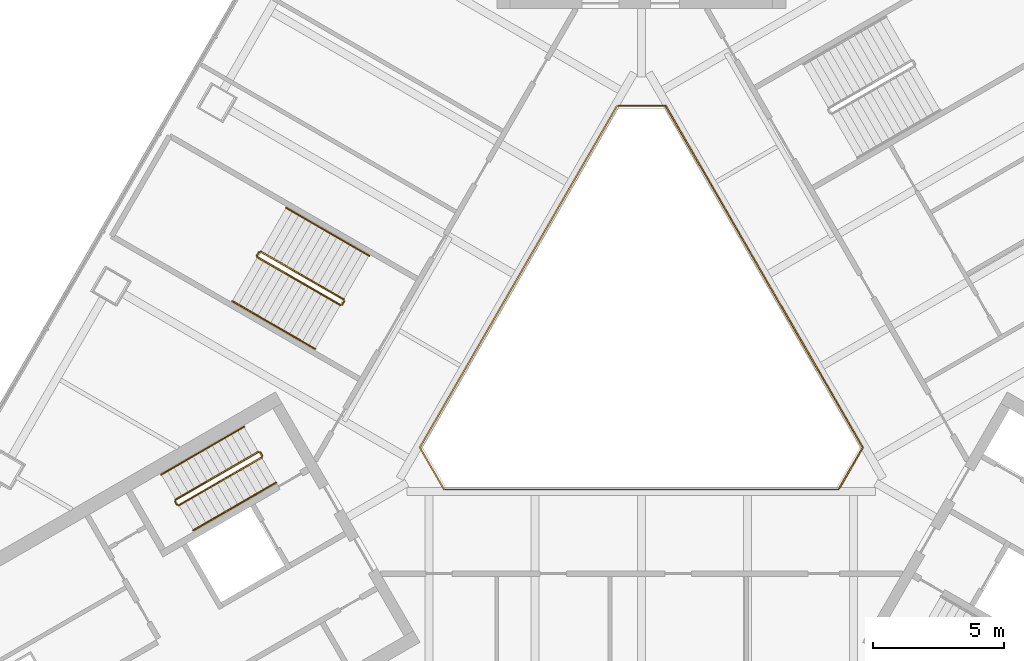
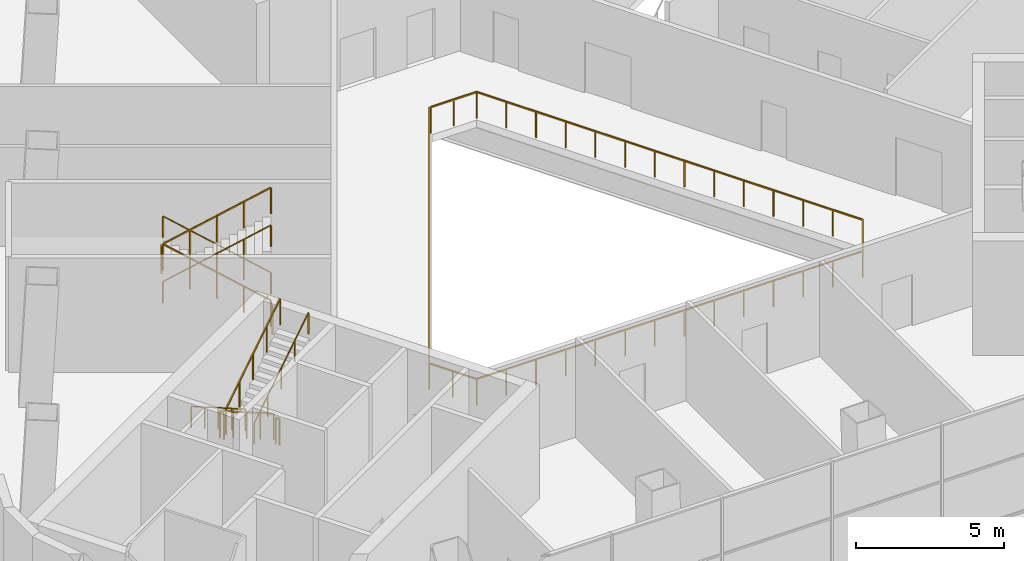
# One storey, part 12 of 13: 14 railings.
"""IFC4 building model written with IfcOpenShell, lengths in metres."""

import ifcopenshell
import ifcopenshell.guid

model = None  # the IFC model being written
_history = None  # IfcOwnerHistory: only IFC2X3 demands one
_inside = {}  # id of a spatial element -> (the spatial element, [elements in it])
_under = {}  # id of a project, library or spatial element -> (it, [spatial elements below it])
_declared = {}  # id of a project -> (the project, [libraries it declares])
_typed = {}  # id of a type object -> (the type object, [elements of that type])
_made_of = {}  # id of a material, layer set ... -> (it, [elements and type objects made of it])


def new_model(schema):
    """Start an empty IFC model of exactly this schema.

    Asked for "IFC4X3", IfcOpenShell would pick the latest addendum, in which some entities
    have other attributes; the version numbers below select the first issue.
    IFC2X3 requires an IfcOwnerHistory on every rooted entity: one is made here for all.
    """
    global model, _history
    if schema == "IFC4X3":
        model = ifcopenshell.file(schema_version=(4, 3, 0, 0))
    else:
        model = ifcopenshell.file(schema=schema)
    _inside.clear()
    _under.clear()
    _declared.clear()
    _typed.clear()
    _made_of.clear()
    _history = None
    if model.schema == "IFC2X3":
        org = make("IfcOrganization", Name="unknown")
        user = make(
            "IfcPersonAndOrganization",
            ThePerson=make("IfcPerson", FamilyName="unknown"),
            TheOrganization=org,
        )
        app = make(
            "IfcApplication",
            ApplicationDeveloper=org,
            Version="unknown",
            ApplicationFullName="unknown",
            ApplicationIdentifier="unknown",
        )
        _history = make(
            "IfcOwnerHistory",
            OwningUser=user,
            OwningApplication=app,
            ChangeAction="ADDED",
            CreationDate=0,
        )
    return model


def make(cls, **values):
    """One entity of the class cls with the attributes given. An attribute that is None is left unset."""
    return model.create_entity(
        cls, **{name: value for name, value in values.items() if value is not None}
    )


def rooted(cls, **values):
    """An entity with a GlobalId (a new one), such as an element, a storey or a relation."""
    return make(cls, GlobalId=ifcopenshell.guid.new(), OwnerHistory=_history, **values)


def si_unit(unit_type, name, prefix=None):
    """IfcSIUnit, for example si_unit("LENGTHUNIT", "METRE", prefix="MILLI")."""
    return make("IfcSIUnit", UnitType=unit_type, Prefix=prefix, Name=name)


def assignment(units):
    """IfcUnitAssignment: the units of a project."""
    return None if units is None else make("IfcUnitAssignment", Units=units)


def point(xyz):
    """IfcCartesianPoint."""
    return None if xyz is None else make("IfcCartesianPoint", Coordinates=xyz)


def direction(xyz):
    """IfcDirection."""
    return None if xyz is None else make("IfcDirection", DirectionRatios=xyz)


def frame(location, z_axis=None, x_axis=None):
    """IfcAxis2Placement3D, a coordinate frame: its origin and axes. An axis left out is left unset."""
    return make(
        "IfcAxis2Placement3D",
        Location=point(location),
        Axis=direction(z_axis),
        RefDirection=direction(x_axis),
    )


def frame_2d(location, x_axis=None):
    """IfcAxis2Placement2D, a coordinate frame in the plane: its origin and x axis."""
    return make(
        "IfcAxis2Placement2D", Location=point(location), RefDirection=direction(x_axis)
    )


def origin():
    """The frame at (0, 0, 0) with its axes left unset."""
    return frame((0.0, 0.0, 0.0))


def origin_2d():
    """The frame at (0, 0) in the plane with its x axis left unset."""
    return frame_2d((0.0, 0.0))


def place(relative_to, where):
    """IfcLocalPlacement: puts the frame where relative to a parent placement (None: the world)."""
    return make(
        "IfcLocalPlacement", PlacementRelTo=relative_to, RelativePlacement=where
    )


def context(
    kind, dimensions, precision=None, world=None, true_north=None, identifier=None
):
    """IfcGeometricRepresentationContext, for example the 3D "Model" context."""
    return make(
        "IfcGeometricRepresentationContext",
        ContextIdentifier=identifier,
        ContextType=kind,
        CoordinateSpaceDimension=dimensions,
        Precision=precision,
        WorldCoordinateSystem=world,
        TrueNorth=true_north,
    )


def subcontext(parent, identifier, kind, view, scale=None):
    """IfcGeometricRepresentationSubContext, for example "Body" below "Model"."""
    return make(
        "IfcGeometricRepresentationSubContext",
        ContextIdentifier=identifier,
        ContextType=kind,
        ParentContext=parent,
        TargetScale=scale,
        TargetView=view,
    )


def project(units=None, contexts=None):
    """IfcProject with its units and contexts."""
    return rooted(
        "IfcProject",
        Name="project",
        RepresentationContexts=contexts,
        UnitsInContext=assignment(units),
    )


def spatial(cls, under=None, at=None, **own):
    """A site, building, storey or space (cls), placed at a placement, below another one or the project."""
    s = rooted(cls, ObjectPlacement=at, **own)
    if under is not None:
        _under.setdefault(under.id(), (under, []))[1].append(s)
    return s


def profile(cls, at=None, kind="AREA", **sizes):
    """A parametric profile (cls). Its sizes go by their IFC names, for example OverallWidth=200.0."""
    return make(cls, ProfileType=kind, Position=at, **sizes)


def rectangle(**sizes):
    """IfcRectangleProfileDef."""
    return profile("IfcRectangleProfileDef", **sizes)


def circle(**sizes):
    """IfcCircleProfileDef."""
    return profile("IfcCircleProfileDef", **sizes)


def extrude(swept, where, along, depth):
    """IfcExtrudedAreaSolid: the profile swept, set in the frame where, extruded along a direction by depth."""
    return make(
        "IfcExtrudedAreaSolid",
        SweptArea=swept,
        Position=where,
        ExtrudedDirection=direction(along),
        Depth=depth,
    )


def shape(context_of_items, identifier, shape_type, items):
    """IfcShapeRepresentation: the items that make up one representation, for example the "Body"."""
    return make(
        "IfcShapeRepresentation",
        ContextOfItems=context_of_items,
        RepresentationIdentifier=identifier,
        RepresentationType=shape_type,
        Items=items,
    )


def material(Name=None, Category=None):
    """IfcMaterial."""
    return make("IfcMaterial", Name=Name, Category=Category)


def made_of(thing, what):
    """Note that an element or type object is made of a material, layer set ...; save() writes the relation."""
    if what is not None:
        _made_of.setdefault(what.id(), (what, []))[1].append(thing)
    return thing


def type_object(cls, material=None, **own):
    """A type object (cls), such as IfcWallType, which elements share."""
    return made_of(rooted(cls, **own), material)


def element(
    cls,
    number,
    at=None,
    inside=None,
    cuts=None,
    type_object=None,
    material=None,
    context=None,
    identifier="Body",
    shape_type=None,
    held_by="IfcProductDefinitionShape",
    body=None,
    shapes=None,
    **own,
):
    """One element of the class cls, such as IfcWall. Its Tag is "e" and its number.

    at: its placement. inside: the storey or other place that contains it. cuts: it is an
    opening in that element (IfcRelVoidsElement). A single representation is given by context,
    identifier, shape_type and body (its items); several are given by shapes. held_by: the class
    of the entity that holds the representations. save() writes the other relations.
    """
    e = rooted(cls, Tag="e%d" % number, ObjectPlacement=at, **own)
    if body is not None:
        shapes = [shape(context, identifier, shape_type, body)]
    if shapes is not None:
        e.Representation = make(held_by, Representations=shapes)
    if inside is not None:
        _inside.setdefault(inside.id(), (inside, []))[1].append(e)
    if cuts is not None:
        rooted(
            "IfcRelVoidsElement", RelatingBuildingElement=cuts, RelatedOpeningElement=e
        )
    if type_object is not None:
        _typed.setdefault(type_object.id(), (type_object, []))[1].append(e)
    return made_of(e, material)


def aggregate(whole, parts):
    """IfcRelAggregates: a whole, such as a stair, and the parts it consists of."""
    return rooted("IfcRelAggregates", RelatingObject=whole, RelatedObjects=parts)


def save(model, path):
    """Write the relations noted so far, then the file.

    IfcRelAggregates (storeys below a building ...), IfcRelContainedInSpatialStructure (elements
    in a storey), IfcRelDefinesByType, IfcRelAssociatesMaterial and IfcRelDeclares: one each for
    every whole, place, type object, material and project.
    """
    for whole, parts in _under.values():
        aggregate(whole, parts)
    for where, things in _inside.values():
        rooted(
            "IfcRelContainedInSpatialStructure",
            RelatedElements=things,
            RelatingStructure=where,
        )
    for kind, things in _typed.values():
        rooted("IfcRelDefinesByType", RelatedObjects=things, RelatingType=kind)
    for what, things in _made_of.values():
        rooted("IfcRelAssociatesMaterial", RelatedObjects=things, RelatingMaterial=what)
    for by, libraries in _declared.values():
        rooted("IfcRelDeclares", RelatingContext=by, RelatedDefinitions=libraries)
    model.write(path)


model = new_model("IFC4")

# Units and contexts
model_context = context("Model", 3, precision=1e-05, world=origin(), true_north=direction((0.0, 1.0)))
body_context = subcontext(model_context, "Body", "Model", "MODEL_VIEW")
ifc_project = project(units=[si_unit("LENGTHUNIT", "METRE"), si_unit("AREAUNIT", "SQUARE_METRE"), si_unit("VOLUMEUNIT", "CUBIC_METRE"), si_unit("PLANEANGLEUNIT", "RADIAN"), si_unit("MASSUNIT", "GRAM", prefix="KILO")], contexts=[model_context])

# Site, building, storey
site_placement = place(None, origin())
site = spatial("IfcSite", under=ifc_project, at=site_placement, CompositionType="ELEMENT")
building_placement = place(site_placement, origin())
building = spatial("IfcBuilding", under=site, at=building_placement, Name="Apuvela Tower Hotel", CompositionType="ELEMENT")
storey_placement = place(building_placement, frame((0.0, 0.0, 23.5)))
storey = spatial("IfcBuildingStorey", under=building, at=storey_placement, Name="L03", CompositionType="ELEMENT", Elevation=23.5)

# Railings
ifc_material_1 = material(Name="Steel S275 balustrade", Category="steel")
railing_type_1 = type_object("IfcRailingType", Name="COR-GUARD-1100", PredefinedType="GUARDRAIL", material=ifc_material_1)
railing_1_placement = place(storey_placement, frame((-14.569091796875, -3.9658203125, 0.178466796875)))
element("IfcRailing", 1, at=railing_1_placement, inside=storey, type_object=railing_type_1, Name="L03 ST2 stair guard 1", PredefinedType="GUARDRAIL", context=body_context, shape_type="SweptSolid", body=[
    extrude(rectangle(XDim=0.048095703125, YDim=0.048095703125, at=origin_2d()), frame((0.0, 0.0, 1.076171875), z_axis=(-0.730132158462, -0.421588973847, 0.537745077439), x_axis=(0.500041787341, -0.866001276507, 0.0)), (0.0, 0.0, 1.0), 4.317138671875),
    extrude(rectangle(XDim=0.0419921875, YDim=0.0419921875, at=origin_2d()), origin(), (0.0, 0.0, 1.0), 1.052001953125),
    extrude(rectangle(XDim=0.0419921875, YDim=0.0419921875, at=origin_2d()), frame((-0.7880859375, -0.455078125, 0.580322265625)), (0.0, 0.0, 1.0), 1.052001953125),
    extrude(rectangle(XDim=0.0419921875, YDim=0.0419921875, at=origin_2d()), frame((-1.576171875, -0.91015625, 1.16064453125)), (0.0, 0.0, 1.0), 1.052001953125),
    extrude(rectangle(XDim=0.0419921875, YDim=0.0419921875, at=origin_2d()), frame((-2.364013671875, -1.364990234375, 1.7412109375)), (0.0, 0.0, 1.0), 1.052001953125),
    extrude(rectangle(XDim=0.0419921875, YDim=0.0419921875, at=origin_2d()), frame((-3.152099609375, -1.820068359375, 2.321533203125)), (0.0, 0.0, 1.0), 1.052001953125),
])
railing_2_placement = place(storey_placement, frame((-17.739501953125, -5.85400390625, 2.5)))
element("IfcRailing", 2, at=railing_2_placement, inside=storey, type_object=railing_type_1, Name="L03 ST2 stair guard 2", PredefinedType="GUARDRAIL", context=body_context, shape_type="SweptSolid", body=[
    extrude(rectangle(XDim=0.048095703125, YDim=0.048095703125, at=origin_2d()), frame((0.0, 0.0, 1.076171875), z_axis=(0.499816412211, -0.866131372301, 0.0), x_axis=(0.866131372301, 0.499816412211, 0.0)), (0.0, 0.0, 1.0), 0.14990234375),
    extrude(rectangle(XDim=0.0419921875, YDim=0.0419921875, at=origin_2d()), origin(), (0.0, 0.0, 1.0), 1.052001953125),
    extrude(rectangle(XDim=0.0419921875, YDim=0.0419921875, at=origin_2d()), frame((0.074951171875, -0.1298828125, 0.0)), (0.0, 0.0, 1.0), 1.052001953125),
])
railing_3_placement = place(storey_placement, frame((-17.59619140625, -6.002197265625, 2.678466796875)))
element("IfcRailing", 3, at=railing_3_placement, inside=storey, type_object=railing_type_1, Name="L03 ST2 stair guard 3", PredefinedType="GUARDRAIL", context=body_context, shape_type="SweptSolid", body=[
    extrude(rectangle(XDim=0.048095703125, YDim=0.048095703125, at=origin_2d()), frame((0.0, 0.0, 1.076171875), z_axis=(0.730149565253, 0.421542472264, 0.537757897606), x_axis=(-0.499991481599, 0.86603032183, 0.0)), (0.0, 0.0, 1.0), 4.317138671875),
    extrude(rectangle(XDim=0.0419921875, YDim=0.0419921875, at=origin_2d()), origin(), (0.0, 0.0, 1.0), 1.052001953125),
    extrude(rectangle(XDim=0.0419921875, YDim=0.0419921875, at=origin_2d()), frame((0.7880859375, 0.455078125, 0.580322265625)), (0.0, 0.0, 1.0), 1.052001953125),
    extrude(rectangle(XDim=0.0419921875, YDim=0.0419921875, at=origin_2d()), frame((1.576171875, 0.909912109375, 1.16064453125)), (0.0, 0.0, 1.0), 1.052001953125),
    extrude(rectangle(XDim=0.0419921875, YDim=0.0419921875, at=origin_2d()), frame((2.364013671875, 1.36474609375, 1.7412109375)), (0.0, 0.0, 1.0), 1.052001953125),
    extrude(rectangle(XDim=0.0419921875, YDim=0.0419921875, at=origin_2d()), frame((3.152099609375, 1.81982421875, 2.321533203125)), (0.0, 0.0, 1.0), 1.052001953125),
])
railing_4_placement = place(storey_placement, frame((-14.500732421875, -3.984130859375, 0.0)))
element("IfcRailing", 4, at=railing_4_placement, inside=storey, type_object=railing_type_1, Name="L03 ST2 stair guard 4", PredefinedType="GUARDRAIL", context=body_context, shape_type="SweptSolid", body=[
    extrude(rectangle(XDim=0.048095703125, YDim=0.048095703125, at=origin_2d()), frame((0.0, 0.0, 1.076171875), z_axis=(0.499816412211, -0.866131372301, 0.0), x_axis=(0.866131372301, 0.499816412211, 0.0)), (0.0, 0.0, 1.0), 0.14990234375),
    extrude(rectangle(XDim=0.0419921875, YDim=0.0419921875, at=origin_2d()), origin(), (0.0, 0.0, 1.0), 1.052001953125),
    extrude(rectangle(XDim=0.0419921875, YDim=0.0419921875, at=origin_2d()), frame((0.074951171875, -0.1298828125, 0.0)), (0.0, 0.0, 1.0), 1.052001953125),
])
ifc_material_2 = material(Name="Stainless steel 316 handrail", Category="steel")
railing_type_2 = type_object("IfcRailingType", Name="COR-HANDRAIL-900", PredefinedType="HANDRAIL", material=ifc_material_2)
railing_5_placement = place(storey_placement, frame((-15.118896484375, -3.01318359375, 0.178466796875)))
element("IfcRailing", 5, at=railing_5_placement, inside=storey, type_object=railing_type_2, Name="L03 ST2 stair handrail 1", PredefinedType="HANDRAIL", context=body_context, shape_type="SweptSolid", body=[
    extrude(circle(Radius=0.02392578125, at=origin_2d()), frame((0.0, 0.0, 0.8759765625), z_axis=(-0.730158560966, -0.421571566915, 0.537722874553), x_axis=(0.500012742938, -0.866018046521, 0.0)), (0.0, 0.0, 1.0), 4.3173828125),
    extrude(rectangle(XDim=0.0419921875, YDim=0.0419921875, at=origin_2d()), origin(), (0.0, 0.0, 1.0), 0.851806640625),
    extrude(rectangle(XDim=0.0419921875, YDim=0.0419921875, at=origin_2d()), frame((-0.7880859375, -0.455078125, 0.580322265625)), (0.0, 0.0, 1.0), 0.851806640625),
    extrude(rectangle(XDim=0.0419921875, YDim=0.0419921875, at=origin_2d()), frame((-1.576171875, -0.91015625, 1.16064453125)), (0.0, 0.0, 1.0), 0.851806640625),
    extrude(rectangle(XDim=0.0419921875, YDim=0.0419921875, at=origin_2d()), frame((-2.3642578125, -1.364990234375, 1.7412109375)), (0.0, 0.0, 1.0), 0.851806640625),
    extrude(rectangle(XDim=0.0419921875, YDim=0.0419921875, at=origin_2d()), frame((-3.15234375, -1.820068359375, 2.321533203125)), (0.0, 0.0, 1.0), 0.851806640625),
])
railing_6_placement = place(storey_placement, frame((-17.04638671875, -6.954833984375, 2.678466796875)))
element("IfcRailing", 6, at=railing_6_placement, inside=storey, type_object=railing_type_2, Name="L03 ST2 stair handrail 2", PredefinedType="HANDRAIL", context=body_context, shape_type="SweptSolid", body=[
    extrude(circle(Radius=0.02392578125, at=origin_2d()), frame((0.0, 0.0, 0.8759765625), z_axis=(0.730175966949, 0.421525066422, 0.537735693132), x_axis=(-0.499962438169, 0.866047089031, 0.0)), (0.0, 0.0, 1.0), 4.317138671875),
    extrude(rectangle(XDim=0.0419921875, YDim=0.0419921875, at=origin_2d()), origin(), (0.0, 0.0, 1.0), 0.851806640625),
    extrude(rectangle(XDim=0.0419921875, YDim=0.0419921875, at=origin_2d()), frame((0.7880859375, 0.455078125, 0.580322265625)), (0.0, 0.0, 1.0), 0.851806640625),
    extrude(rectangle(XDim=0.0419921875, YDim=0.0419921875, at=origin_2d()), frame((1.576171875, 0.909912109375, 1.16064453125)), (0.0, 0.0, 1.0), 0.851806640625),
    extrude(rectangle(XDim=0.0419921875, YDim=0.0419921875, at=origin_2d()), frame((2.3642578125, 1.36474609375, 1.7412109375)), (0.0, 0.0, 1.0), 0.851806640625),
    extrude(rectangle(XDim=0.0419921875, YDim=0.0419921875, at=origin_2d()), frame((3.15234375, 1.81982421875, 2.321533203125)), (0.0, 0.0, 1.0), 0.851806640625),
])
ifc_material_3 = material(Name="Stainless steel 316 rail with laminated glass infill", Category="steel")
railing_type_3 = type_object("IfcRailingType", Name="ENV-GUARD-1100", PredefinedType="GUARDRAIL", material=ifc_material_3)
railing_7_placement = place(storey_placement, frame((-0.923828125, 9.199951171875, 0.0)))
element("IfcRailing", 7, at=railing_7_placement, inside=storey, type_object=railing_type_3, Name="Atrium void guard A L03", PredefinedType="GUARDRAIL", context=body_context, shape_type="SweptSolid", body=[
    extrude(rectangle(XDim=0.050048828125, YDim=0.050048828125, at=origin_2d()), frame((0.0, 0.0, 1.0751953125), z_axis=(-0.499990886379, -0.866030665472, 0.0), x_axis=(0.866030665472, -0.499990886379, 0.0)), (0.0, 0.0, 1.0), 15.010986328125),
    extrude(rectangle(XDim=0.050048828125, YDim=0.050048828125, at=origin_2d()), frame((-7.50537109375, -13.0, 1.0751953125), z_axis=(0.499962699187, -0.866046938348, 0.0), x_axis=(0.866046938348, 0.499962699187, 0.0)), (0.0, 0.0, 1.0), 1.847412109375),
    extrude(rectangle(XDim=0.050048828125, YDim=0.050048828125, at=origin_2d()), frame((-6.581787109375, -14.599853515625, 1.0751953125), z_axis=(1.0, 0.0, 0.0), x_axis=(0.0, 1.0, 0.0)), (0.0, 0.0, 1.0), 15.01123046875),
    extrude(rectangle(XDim=0.0400390625, YDim=0.0400390625, at=origin_2d()), origin(), (0.0, 0.0, 1.0), 1.050048828125),
    extrude(rectangle(XDim=0.0400390625, YDim=0.0400390625, at=origin_2d()), frame((-0.577392578125, -1.0, 0.0)), (0.0, 0.0, 1.0), 1.050048828125),
    extrude(rectangle(XDim=0.0400390625, YDim=0.0400390625, at=origin_2d()), frame((-1.15478515625, -2.0, 0.0)), (0.0, 0.0, 1.0), 1.050048828125),
    extrude(rectangle(XDim=0.0400390625, YDim=0.0400390625, at=origin_2d()), frame((-1.73193359375, -3.0, 0.0)), (0.0, 0.0, 1.0), 1.050048828125),
    extrude(rectangle(XDim=0.0400390625, YDim=0.0400390625, at=origin_2d()), frame((-2.309326171875, -4.0, 0.0)), (0.0, 0.0, 1.0), 1.050048828125),
    extrude(rectangle(XDim=0.0400390625, YDim=0.0400390625, at=origin_2d()), frame((-2.88671875, -5.0, 0.0)), (0.0, 0.0, 1.0), 1.050048828125),
    extrude(rectangle(XDim=0.0400390625, YDim=0.0400390625, at=origin_2d()), frame((-3.464111328125, -6.0, 0.0)), (0.0, 0.0, 1.0), 1.050048828125),
    extrude(rectangle(XDim=0.0400390625, YDim=0.0400390625, at=origin_2d()), frame((-4.041259765625, -7.0, 0.0)), (0.0, 0.0, 1.0), 1.050048828125),
    extrude(rectangle(XDim=0.0400390625, YDim=0.0400390625, at=origin_2d()), frame((-4.61865234375, -8.0, 0.0)), (0.0, 0.0, 1.0), 1.050048828125),
    extrude(rectangle(XDim=0.0400390625, YDim=0.0400390625, at=origin_2d()), frame((-5.196044921875, -9.0, 0.0)), (0.0, 0.0, 1.0), 1.050048828125),
    extrude(rectangle(XDim=0.0400390625, YDim=0.0400390625, at=origin_2d()), frame((-5.7734375, -10.0, 0.0)), (0.0, 0.0, 1.0), 1.050048828125),
    extrude(rectangle(XDim=0.0400390625, YDim=0.0400390625, at=origin_2d()), frame((-6.3505859375, -11.0, 0.0)), (0.0, 0.0, 1.0), 1.050048828125),
    extrude(rectangle(XDim=0.0400390625, YDim=0.0400390625, at=origin_2d()), frame((-6.927978515625, -12.0, 0.0)), (0.0, 0.0, 1.0), 1.050048828125),
    extrude(rectangle(XDim=0.0400390625, YDim=0.0400390625, at=origin_2d()), frame((-7.50537109375, -13.0, 0.0)), (0.0, 0.0, 1.0), 1.050048828125),
    extrude(rectangle(XDim=0.0400390625, YDim=0.0400390625, at=origin_2d()), frame((-7.04345703125, -13.7998046875, 0.0)), (0.0, 0.0, 1.0), 1.050048828125),
    extrude(rectangle(XDim=0.0400390625, YDim=0.0400390625, at=origin_2d()), frame((-6.581787109375, -14.599853515625, 0.0)), (0.0, 0.0, 1.0), 1.050048828125),
    extrude(rectangle(XDim=0.0400390625, YDim=0.0400390625, at=origin_2d()), frame((-5.427001953125, -14.599853515625, 0.0)), (0.0, 0.0, 1.0), 1.050048828125),
    extrude(rectangle(XDim=0.0400390625, YDim=0.0400390625, at=origin_2d()), frame((-4.2724609375, -14.599853515625, 0.0)), (0.0, 0.0, 1.0), 1.050048828125),
    extrude(rectangle(XDim=0.0400390625, YDim=0.0400390625, at=origin_2d()), frame((-3.11767578125, -14.599853515625, 0.0)), (0.0, 0.0, 1.0), 1.050048828125),
    extrude(rectangle(XDim=0.0400390625, YDim=0.0400390625, at=origin_2d()), frame((-1.962890625, -14.599853515625, 0.0)), (0.0, 0.0, 1.0), 1.050048828125),
    extrude(rectangle(XDim=0.0400390625, YDim=0.0400390625, at=origin_2d()), frame((-0.808349609375, -14.599853515625, 0.0)), (0.0, 0.0, 1.0), 1.050048828125),
    extrude(rectangle(XDim=0.0400390625, YDim=0.0400390625, at=origin_2d()), frame((0.346435546875, -14.599853515625, 0.0)), (0.0, 0.0, 1.0), 1.050048828125),
    extrude(rectangle(XDim=0.0400390625, YDim=0.0400390625, at=origin_2d()), frame((1.501220703125, -14.599853515625, 0.0)), (0.0, 0.0, 1.0), 1.050048828125),
    extrude(rectangle(XDim=0.0400390625, YDim=0.0400390625, at=origin_2d()), frame((2.656005859375, -14.599853515625, 0.0)), (0.0, 0.0, 1.0), 1.050048828125),
    extrude(rectangle(XDim=0.0400390625, YDim=0.0400390625, at=origin_2d()), frame((3.810546875, -14.599853515625, 0.0)), (0.0, 0.0, 1.0), 1.050048828125),
    extrude(rectangle(XDim=0.0400390625, YDim=0.0400390625, at=origin_2d()), frame((4.96533203125, -14.599853515625, 0.0)), (0.0, 0.0, 1.0), 1.050048828125),
    extrude(rectangle(XDim=0.0400390625, YDim=0.0400390625, at=origin_2d()), frame((6.1201171875, -14.599853515625, 0.0)), (0.0, 0.0, 1.0), 1.050048828125),
    extrude(rectangle(XDim=0.0400390625, YDim=0.0400390625, at=origin_2d()), frame((7.274658203125, -14.599853515625, 0.0)), (0.0, 0.0, 1.0), 1.050048828125),
    extrude(rectangle(XDim=0.0400390625, YDim=0.0400390625, at=origin_2d()), frame((8.429443359375, -14.599853515625, 0.0)), (0.0, 0.0, 1.0), 1.050048828125),
])
railing_8_placement = place(storey_placement, frame((7.53564453125, -5.347900390625, 0.0)))
element("IfcRailing", 8, at=railing_8_placement, inside=storey, type_object=railing_type_3, Name="Atrium void guard B L03", PredefinedType="GUARDRAIL", context=body_context, shape_type="SweptSolid", body=[
    extrude(rectangle(XDim=0.050048828125, YDim=0.050048828125, at=origin_2d()), frame((0.0, 0.0, 1.0751953125), z_axis=(0.499958946799, 0.866049104564, 0.0), x_axis=(-0.866049104564, 0.499958946799, 0.0)), (0.0, 0.0, 1.0), 1.787353515625),
    extrude(rectangle(XDim=0.050048828125, YDim=0.050048828125, at=origin_2d()), frame((0.8935546875, 1.5478515625, 1.0751953125), z_axis=(-0.499990886379, 0.866030665472, 0.0), x_axis=(-0.866030665472, -0.499990886379, 0.0)), (0.0, 0.0, 1.0), 15.010986328125),
    extrude(rectangle(XDim=0.050048828125, YDim=0.050048828125, at=origin_2d()), frame((-6.61181640625, 14.5478515625, 1.0751953125), z_axis=(-1.0, 0.0, 0.0), x_axis=(0.0, -1.0, 0.0)), (0.0, 0.0, 1.0), 1.78759765625),
    extrude(rectangle(XDim=0.0400390625, YDim=0.0400390625, at=origin_2d()), origin(), (0.0, 0.0, 1.0), 1.050048828125),
    extrude(rectangle(XDim=0.0400390625, YDim=0.0400390625, at=origin_2d()), frame((0.44677734375, 0.77392578125, 0.0)), (0.0, 0.0, 1.0), 1.050048828125),
    extrude(rectangle(XDim=0.0400390625, YDim=0.0400390625, at=origin_2d()), frame((0.8935546875, 1.5478515625, 0.0)), (0.0, 0.0, 1.0), 1.050048828125),
    extrude(rectangle(XDim=0.0400390625, YDim=0.0400390625, at=origin_2d()), frame((0.316162109375, 2.5478515625, 0.0)), (0.0, 0.0, 1.0), 1.050048828125),
    extrude(rectangle(XDim=0.0400390625, YDim=0.0400390625, at=origin_2d()), frame((-0.26123046875, 3.5478515625, 0.0)), (0.0, 0.0, 1.0), 1.050048828125),
    extrude(rectangle(XDim=0.0400390625, YDim=0.0400390625, at=origin_2d()), frame((-0.83837890625, 4.5478515625, 0.0)), (0.0, 0.0, 1.0), 1.050048828125),
    extrude(rectangle(XDim=0.0400390625, YDim=0.0400390625, at=origin_2d()), frame((-1.415771484375, 5.5478515625, 0.0)), (0.0, 0.0, 1.0), 1.050048828125),
    extrude(rectangle(XDim=0.0400390625, YDim=0.0400390625, at=origin_2d()), frame((-1.9931640625, 6.5478515625, 0.0)), (0.0, 0.0, 1.0), 1.050048828125),
    extrude(rectangle(XDim=0.0400390625, YDim=0.0400390625, at=origin_2d()), frame((-2.570556640625, 7.5478515625, 0.0)), (0.0, 0.0, 1.0), 1.050048828125),
    extrude(rectangle(XDim=0.0400390625, YDim=0.0400390625, at=origin_2d()), frame((-3.147705078125, 8.5478515625, 0.0)), (0.0, 0.0, 1.0), 1.050048828125),
    extrude(rectangle(XDim=0.0400390625, YDim=0.0400390625, at=origin_2d()), frame((-3.72509765625, 9.5478515625, 0.0)), (0.0, 0.0, 1.0), 1.050048828125),
    extrude(rectangle(XDim=0.0400390625, YDim=0.0400390625, at=origin_2d()), frame((-4.302490234375, 10.5478515625, 0.0)), (0.0, 0.0, 1.0), 1.050048828125),
    extrude(rectangle(XDim=0.0400390625, YDim=0.0400390625, at=origin_2d()), frame((-4.8798828125, 11.5478515625, 0.0)), (0.0, 0.0, 1.0), 1.050048828125),
    extrude(rectangle(XDim=0.0400390625, YDim=0.0400390625, at=origin_2d()), frame((-5.45703125, 12.5478515625, 0.0)), (0.0, 0.0, 1.0), 1.050048828125),
    extrude(rectangle(XDim=0.0400390625, YDim=0.0400390625, at=origin_2d()), frame((-6.034423828125, 13.5478515625, 0.0)), (0.0, 0.0, 1.0), 1.050048828125),
    extrude(rectangle(XDim=0.0400390625, YDim=0.0400390625, at=origin_2d()), frame((-6.61181640625, 14.5478515625, 0.0)), (0.0, 0.0, 1.0), 1.050048828125),
    extrude(rectangle(XDim=0.0400390625, YDim=0.0400390625, at=origin_2d()), frame((-7.505615234375, 14.5478515625, 0.0)), (0.0, 0.0, 1.0), 1.050048828125),
    extrude(rectangle(XDim=0.0400390625, YDim=0.0400390625, at=origin_2d()), frame((-8.3994140625, 14.5478515625, 0.0)), (0.0, 0.0, 1.0), 1.050048828125),
])
ifc_material_4 = material(Name="Steel S355 guard with laminated glass infill", Category="steel")
railing_type_4 = type_object("IfcRailingType", Name="SPC-GUARD-1100", PredefinedType="GUARDRAIL", material=ifc_material_4)
railing_9_placement = place(storey_placement, frame((-11.32568359375, 1.83349609375, 0.178466796875)))
element("IfcRailing", 9, at=railing_9_placement, inside=storey, type_object=railing_type_4, Name="L03 PS2 stair guard 1", PredefinedType="GUARDRAIL", context=body_context, shape_type="SweptSolid", body=[
    extrude(rectangle(XDim=0.048095703125, YDim=0.048095703125, at=origin_2d()), frame((0.0, 0.0, 1.076171875), z_axis=(-0.730158560966, 0.421571566915, 0.537722874553), x_axis=(-0.500012742938, -0.866018046521, 0.0)), (0.0, 0.0, 1.0), 4.3173828125),
    extrude(rectangle(XDim=0.0419921875, YDim=0.0419921875, at=origin_2d()), origin(), (0.0, 0.0, 1.0), 1.052001953125),
    extrude(rectangle(XDim=0.0419921875, YDim=0.0419921875, at=origin_2d()), frame((-0.7880859375, 0.455078125, 0.580322265625)), (0.0, 0.0, 1.0), 1.052001953125),
    extrude(rectangle(XDim=0.0419921875, YDim=0.0419921875, at=origin_2d()), frame((-1.576171875, 0.91015625, 1.16064453125)), (0.0, 0.0, 1.0), 1.052001953125),
    extrude(rectangle(XDim=0.0419921875, YDim=0.0419921875, at=origin_2d()), frame((-2.3642578125, 1.364990234375, 1.7412109375)), (0.0, 0.0, 1.0), 1.052001953125),
    extrude(rectangle(XDim=0.0419921875, YDim=0.0419921875, at=origin_2d()), frame((-3.15234375, 1.820068359375, 2.321533203125)), (0.0, 0.0, 1.0), 1.052001953125),
])
railing_10_placement = place(storey_placement, frame((-14.546142578125, 3.63525390625, 2.5)))
element("IfcRailing", 10, at=railing_10_placement, inside=storey, type_object=railing_type_4, Name="L03 PS2 stair guard 2", PredefinedType="GUARDRAIL", context=body_context, shape_type="SweptSolid", body=[
    extrude(rectangle(XDim=0.048095703125, YDim=0.048095703125, at=origin_2d()), frame((0.0, 0.0, 1.076171875), z_axis=(-0.500331725305, -0.865833797362, 0.0), x_axis=(0.865833797362, -0.500331725305, 0.0)), (0.0, 0.0, 1.0), 0.150390625),
    extrude(rectangle(XDim=0.0419921875, YDim=0.0419921875, at=origin_2d()), origin(), (0.0, 0.0, 1.0), 1.052001953125),
    extrude(rectangle(XDim=0.0419921875, YDim=0.0419921875, at=origin_2d()), frame((-0.0751953125, -0.130126953125, 0.0)), (0.0, 0.0, 1.0), 1.052001953125),
])
railing_11_placement = place(storey_placement, frame((-14.60302734375, 3.43701171875, 2.678466796875)))
element("IfcRailing", 11, at=railing_11_placement, inside=storey, type_object=railing_type_4, Name="L03 PS2 stair guard 3", PredefinedType="GUARDRAIL", context=body_context, shape_type="SweptSolid", body=[
    extrude(rectangle(XDim=0.048095703125, YDim=0.048095703125, at=origin_2d()), frame((0.0, 0.0, 1.076171875), z_axis=(0.730158560966, -0.421571566915, 0.537722874553), x_axis=(0.500012742938, 0.866018046521, 0.0)), (0.0, 0.0, 1.0), 4.3173828125),
    extrude(rectangle(XDim=0.0419921875, YDim=0.0419921875, at=origin_2d()), origin(), (0.0, 0.0, 1.0), 1.052001953125),
    extrude(rectangle(XDim=0.0419921875, YDim=0.0419921875, at=origin_2d()), frame((0.7880859375, -0.455078125, 0.580322265625)), (0.0, 0.0, 1.0), 1.052001953125),
    extrude(rectangle(XDim=0.0419921875, YDim=0.0419921875, at=origin_2d()), frame((1.576171875, -0.91015625, 1.16064453125)), (0.0, 0.0, 1.0), 1.052001953125),
    extrude(rectangle(XDim=0.0419921875, YDim=0.0419921875, at=origin_2d()), frame((2.3642578125, -1.364990234375, 1.7412109375)), (0.0, 0.0, 1.0), 1.052001953125),
    extrude(rectangle(XDim=0.0419921875, YDim=0.0419921875, at=origin_2d()), frame((3.15234375, -1.820068359375, 2.321533203125)), (0.0, 0.0, 1.0), 1.052001953125),
])
railing_12_placement = place(storey_placement, frame((-11.307373046875, 1.76513671875, 0.0)))
element("IfcRailing", 12, at=railing_12_placement, inside=storey, type_object=railing_type_4, Name="L03 PS2 stair guard 4", PredefinedType="GUARDRAIL", context=body_context, shape_type="SweptSolid", body=[
    extrude(rectangle(XDim=0.048095703125, YDim=0.048095703125, at=origin_2d()), frame((0.0, 0.0, 1.076171875), z_axis=(-0.499816412211, -0.866131372301, 0.0), x_axis=(0.866131372301, -0.499816412211, 0.0)), (0.0, 0.0, 1.0), 0.14990234375),
    extrude(rectangle(XDim=0.0419921875, YDim=0.0419921875, at=origin_2d()), origin(), (0.0, 0.0, 1.0), 1.052001953125),
    extrude(rectangle(XDim=0.0419921875, YDim=0.0419921875, at=origin_2d()), frame((-0.074951171875, -0.1298828125, 0.0)), (0.0, 0.0, 1.0), 1.052001953125),
])
ifc_material_5 = material(Name="Steel S355 tube handrail", Category="steel")
railing_type_5 = type_object("IfcRailingType", Name="SPC-HANDRAIL-900", PredefinedType="HANDRAIL", material=ifc_material_5)
railing_13_placement = place(storey_placement, frame((-10.363037109375, 3.50048828125, 0.178466796875)))
element("IfcRailing", 13, at=railing_13_placement, inside=storey, type_object=railing_type_5, Name="L03 PS2 stair handrail 1", PredefinedType="HANDRAIL", context=body_context, shape_type="SweptSolid", body=[
    extrude(circle(Radius=0.02392578125, at=origin_2d()), frame((0.0, 0.0, 0.8759765625), z_axis=(-0.730158560966, 0.421571566915, 0.537722874553), x_axis=(-0.500012742938, -0.866018046521, 0.0)), (0.0, 0.0, 1.0), 4.3173828125),
    extrude(rectangle(XDim=0.0419921875, YDim=0.0419921875, at=origin_2d()), origin(), (0.0, 0.0, 1.0), 0.851806640625),
    extrude(rectangle(XDim=0.0419921875, YDim=0.0419921875, at=origin_2d()), frame((-0.7880859375, 0.455078125, 0.580322265625)), (0.0, 0.0, 1.0), 0.851806640625),
    extrude(rectangle(XDim=0.0419921875, YDim=0.0419921875, at=origin_2d()), frame((-1.576171875, 0.91015625, 1.16064453125)), (0.0, 0.0, 1.0), 0.851806640625),
    extrude(rectangle(XDim=0.0419921875, YDim=0.0419921875, at=origin_2d()), frame((-2.3642578125, 1.364990234375, 1.7412109375)), (0.0, 0.0, 1.0), 0.851806640625),
    extrude(rectangle(XDim=0.0419921875, YDim=0.0419921875, at=origin_2d()), frame((-3.15234375, 1.820068359375, 2.321533203125)), (0.0, 0.0, 1.0), 0.851806640625),
])
railing_14_placement = place(storey_placement, frame((-15.5654296875, 1.769775390625, 2.678466796875)))
element("IfcRailing", 14, at=railing_14_placement, inside=storey, type_object=railing_type_5, Name="L03 PS2 stair handrail 2", PredefinedType="HANDRAIL", context=body_context, shape_type="SweptSolid", body=[
    extrude(circle(Radius=0.02392578125, at=origin_2d()), frame((0.0, 0.0, 0.8759765625), z_axis=(0.730175966949, -0.421525066422, 0.537735693132), x_axis=(0.499962438169, 0.866047089031, 0.0)), (0.0, 0.0, 1.0), 4.317138671875),
    extrude(rectangle(XDim=0.0419921875, YDim=0.0419921875, at=origin_2d()), origin(), (0.0, 0.0, 1.0), 0.851806640625),
    extrude(rectangle(XDim=0.0419921875, YDim=0.0419921875, at=origin_2d()), frame((0.7880859375, -0.455078125, 0.580322265625)), (0.0, 0.0, 1.0), 0.851806640625),
    extrude(rectangle(XDim=0.0419921875, YDim=0.0419921875, at=origin_2d()), frame((1.576171875, -0.909912109375, 1.16064453125)), (0.0, 0.0, 1.0), 0.851806640625),
    extrude(rectangle(XDim=0.0419921875, YDim=0.0419921875, at=origin_2d()), frame((2.3642578125, -1.36474609375, 1.7412109375)), (0.0, 0.0, 1.0), 0.851806640625),
    extrude(rectangle(XDim=0.0419921875, YDim=0.0419921875, at=origin_2d()), frame((3.15234375, -1.81982421875, 2.321533203125)), (0.0, 0.0, 1.0), 0.851806640625),
])

save(model, "model.ifc")
